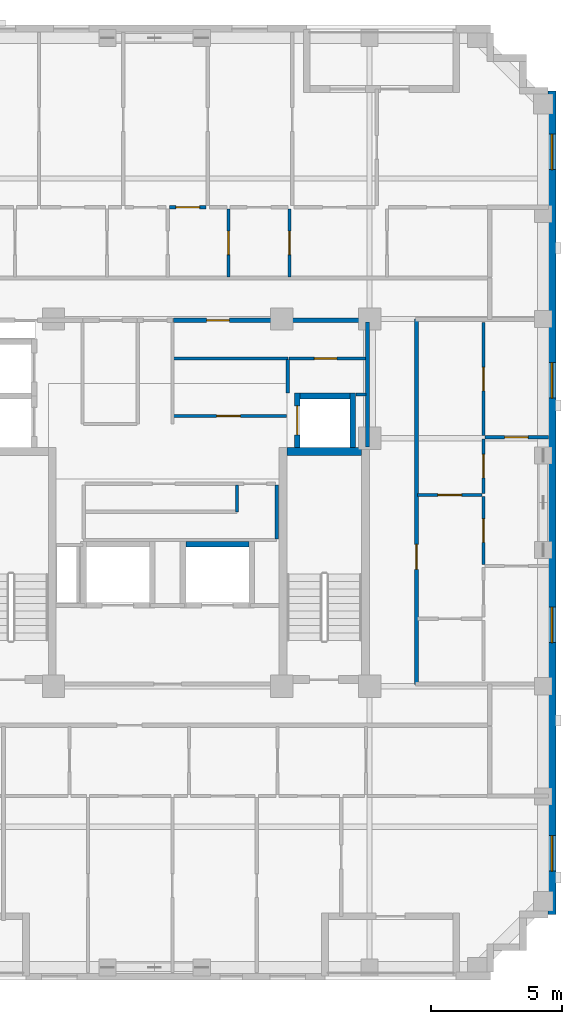
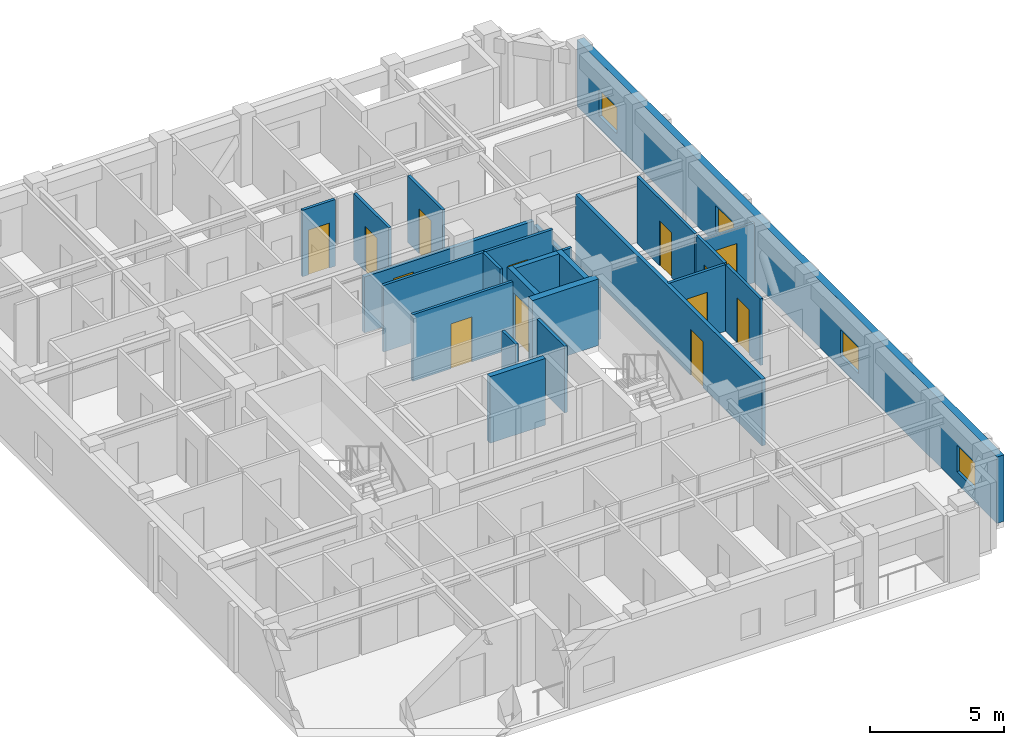
# One storey, part 6 of 11: 24 walls, 13 doors, 4 windows, 17 openings.
"""IFC4 building model written with IfcOpenShell, lengths in metres."""

from ifc_helpers import new_model, si_unit, derived_unit, direction, frame, frame_2d, origin, place, context, subcontext, project, spatial, rectangle, extrude, material, layer, layer_set, type_object, element, fill, save


model = new_model("IFC4")

# Units and contexts
model_context = context("Model", 3, precision=1e-05, world=origin(), true_north=direction((0.0, 1.0)))
body_context = subcontext(model_context, "Body", "Model", "MODEL_VIEW")
ifc_project = project(units=[si_unit("LENGTHUNIT", "METRE"), si_unit("AREAUNIT", "SQUARE_METRE"), si_unit("VOLUMEUNIT", "CUBIC_METRE"), si_unit("PLANEANGLEUNIT", "RADIAN"), si_unit("MASSUNIT", "GRAM", prefix="KILO"), derived_unit("THERMALTRANSMITTANCEUNIT", [(si_unit("MASSUNIT", "GRAM", prefix="KILO"), 1), (si_unit("TIMEUNIT", "SECOND"), -3), (si_unit("THERMODYNAMICTEMPERATUREUNIT", "KELVIN"), -1)])], contexts=[model_context])

# Site, building, storey
site_placement = place(None, origin())
site = spatial("IfcSite", under=ifc_project, at=site_placement, CompositionType="ELEMENT")
building_placement = place(site_placement, origin())
building = spatial("IfcBuilding", under=site, at=building_placement, Name="Korrvale Station Residences", CompositionType="ELEMENT")
storey_placement = place(building_placement, frame((0.0, 0.0, 197.5)))
storey = spatial("IfcBuildingStorey", under=building, at=storey_placement, Name="L57", CompositionType="ELEMENT", Elevation=197.5)

# Wall
ifc_material_1 = material(Name="Concrete C50/60", Category="concrete")
ifc_layer_1 = layer(ifc_material_1, 0.300048828125, Name="Concrete C50/60")
ifc_layer_set_1 = layer_set([ifc_layer_1], Name="Concrete C50/60")
wall_type_1 = type_object("IfcWallType", Name="WAL-CORE-300-C50", PredefinedType="SHEAR", material=ifc_layer_set_1)
wall_1_placement = place(storey_placement, frame((30.050048828125, 23.949951171875, 0.0), z_axis=(0.0, 0.0, 1.0), x_axis=(1.0, 0.0, 0.0)))
element("IfcWall", 1, at=wall_1_placement, inside=storey, type_object=wall_type_1, Name="L57 ST-2 Core Shear Wall North", PredefinedType="SHEAR", context=body_context, shape_type="SweptSolid", body=[
    extrude(rectangle(XDim=2.849853515625, YDim=0.300048828125, at=frame_2d((1.4248046875, 0.0))), origin(), (0.0, 0.0, 1.0), 3.0400390625),
])

# Wall, openings, windows
ifc_material_2 = material(Name="Precast concrete C45/55", Category="concrete")
ifc_layer_2 = layer(ifc_material_2, 0.300048828125, Name="Precast concrete C45/55")
ifc_layer_set_2 = layer_set([ifc_layer_2], Name="Precast concrete C45/55")
wall_type_2 = type_object("IfcWallType", Name="WAL-EXT-PC300", PredefinedType="SOLIDWALL", material=ifc_layer_set_2)
wall_2_placement = place(storey_placement, frame((40.14990234375, 37.699951171875, 0.0), z_axis=(0.0, 0.0, 1.0), x_axis=(0.0, -1.0, 0.0)))
wall_2 = element("IfcWall", 2, at=wall_2_placement, inside=storey, type_object=wall_type_2, Name="L57 East Exterior Precast Wall 1", PredefinedType="SOLIDWALL", context=body_context, shape_type="SweptSolid", body=[
    extrude(rectangle(XDim=31.39990234375, YDim=0.300048828125, at=frame_2d((15.699951171875, 0.0))), origin(), (0.0, 0.0, 1.0), 3.0400390625),
])
opening_1_placement = place(wall_2_placement, frame((28.39599609375, 0.0, 0.550048828125)))
opening_1 = element("IfcOpeningElement", 3, at=opening_1_placement, cuts=wall_2, Name="Opening W-10", PredefinedType="OPENING", context=body_context, shape_type="SweptSolid", body=[
    extrude(rectangle(XDim=1.35009765625, YDim=1.199951171875, at=frame_2d((0.675048828125, 0.60009765625))), frame((0.0, 0.16015625, 0.0), z_axis=(0.0, -1.0, 0.0), x_axis=(1.0, 0.0, 0.0)), (0.0, 0.0, 1.0), 0.320068359375),
])
opening_2_placement = place(wall_2_placement, frame((1.653076171875, 0.0, 0.550048828125)))
opening_2 = element("IfcOpeningElement", 4, at=opening_2_placement, cuts=wall_2, Name="Opening W-10", PredefinedType="OPENING", context=body_context, shape_type="SweptSolid", body=[
    extrude(rectangle(XDim=1.35009765625, YDim=1.199951171875, at=frame_2d((0.675048828125, 0.60009765625))), frame((0.0, 0.16015625, 0.0), z_axis=(0.0, -1.0, 0.0), x_axis=(1.0, 0.0, 0.0)), (0.0, 0.0, 1.0), 0.320068359375),
])
opening_3_placement = place(wall_2_placement, frame((19.68310546875, 0.0, 0.550048828125)))
opening_3 = element("IfcOpeningElement", 5, at=opening_3_placement, cuts=wall_2, Name="Opening W-10", PredefinedType="OPENING", context=body_context, shape_type="SweptSolid", body=[
    extrude(rectangle(XDim=1.35009765625, YDim=1.199951171875, at=frame_2d((0.675048828125, 0.60009765625))), frame((0.0, 0.16015625, 0.0), z_axis=(0.0, -1.0, 0.0), x_axis=(1.0, 0.0, 0.0)), (0.0, 0.0, 1.0), 0.320068359375),
])
opening_4_placement = place(wall_2_placement, frame((10.366943359375, 0.0, 0.550048828125)))
opening_4 = element("IfcOpeningElement", 6, at=opening_4_placement, cuts=wall_2, Name="Opening W-10", PredefinedType="OPENING", context=body_context, shape_type="SweptSolid", body=[
    extrude(rectangle(XDim=1.35009765625, YDim=1.199951171875, at=frame_2d((0.675048828125, 0.60009765625))), frame((0.0, 0.16015625, 0.0), z_axis=(0.0, -1.0, 0.0), x_axis=(1.0, 0.0, 0.0)), (0.0, 0.0, 1.0), 0.320068359375),
])
ifc_material_3 = material(Name="Thermally broken aluminium frame with triple low-e glazing", Category="aluminium")
window_type = type_object("IfcWindowType", Name="WIN-W10", PartitioningType="SINGLE_PANEL", PredefinedType="WINDOW", material=ifc_material_3)
window_1_placement = place(opening_1_placement, origin())
window_1 = element("IfcWindow", 7, at=window_1_placement, inside=storey, type_object=window_type, Name="L57 Punched Window 05", OverallHeight=1.199951171875, OverallWidth=1.35009765625, PartitioningType="SINGLE_PANEL", PredefinedType="WINDOW", context=body_context, shape_type="SweptSolid", body=[
    extrude(rectangle(XDim=1.35009765625, YDim=1.199951171875, at=frame_2d((0.675048828125, 0.60009765625))), frame((0.0, 0.030029296875, 0.0), z_axis=(0.0, -1.0, 0.0), x_axis=(1.0, 0.0, 0.0)), (0.0, 0.0, 1.0), 0.06005859375),
])
fill(opening_1, window_1)
window_2_placement = place(opening_2_placement, origin())
window_2 = element("IfcWindow", 8, at=window_2_placement, inside=storey, type_object=window_type, Name="L57 Punched Window 12", OverallHeight=1.199951171875, OverallWidth=1.35009765625, PartitioningType="SINGLE_PANEL", PredefinedType="WINDOW", context=body_context, shape_type="SweptSolid", body=[
    extrude(rectangle(XDim=1.35009765625, YDim=1.199951171875, at=frame_2d((0.675048828125, 0.60009765625))), frame((0.0, 0.030029296875, 0.0), z_axis=(0.0, -1.0, 0.0), x_axis=(1.0, 0.0, 0.0)), (0.0, 0.0, 1.0), 0.06005859375),
])
fill(opening_2, window_2)
window_3_placement = place(opening_3_placement, origin())
window_3 = element("IfcWindow", 9, at=window_3_placement, inside=storey, type_object=window_type, Name="L57 Punched Window 15", OverallHeight=1.199951171875, OverallWidth=1.35009765625, PartitioningType="SINGLE_PANEL", PredefinedType="WINDOW", context=body_context, shape_type="SweptSolid", body=[
    extrude(rectangle(XDim=1.35009765625, YDim=1.199951171875, at=frame_2d((0.675048828125, 0.60009765625))), frame((0.0, 0.030029296875, 0.0), z_axis=(0.0, -1.0, 0.0), x_axis=(1.0, 0.0, 0.0)), (0.0, 0.0, 1.0), 0.06005859375),
])
fill(opening_3, window_3)
window_4_placement = place(opening_4_placement, origin())
window_4 = element("IfcWindow", 10, at=window_4_placement, inside=storey, type_object=window_type, Name="L57 Punched Window 16", OverallHeight=1.199951171875, OverallWidth=1.35009765625, PartitioningType="SINGLE_PANEL", PredefinedType="WINDOW", context=body_context, shape_type="SweptSolid", body=[
    extrude(rectangle(XDim=1.35009765625, YDim=1.199951171875, at=frame_2d((0.675048828125, 0.60009765625))), frame((0.0, 0.030029296875, 0.0), z_axis=(0.0, -1.0, 0.0), x_axis=(1.0, 0.0, 0.0)), (0.0, 0.0, 1.0), 0.06005859375),
])
fill(opening_4, window_4)

# Walls
ifc_material_4 = material(Name="Acoustic steel-stud gypsum board partition", Category="steel")
ifc_layer_3 = layer(ifc_material_4, 0.1201171875, Name="Acoustic steel-stud gypsum board partition")
ifc_layer_set_3 = layer_set([ifc_layer_3], Name="Acoustic steel-stud gypsum board partition")
wall_type_3 = type_object("IfcWallType", Name="WAL-PART-125", PredefinedType="PARTITIONING", material=ifc_layer_set_3)
wall_3_placement = place(storey_placement, frame((30.080078125, 26.179931640625, 0.0), z_axis=(0.0, 0.0, 1.0), x_axis=(0.0, 1.0, 0.0)))
element("IfcWall", 11, at=wall_3_placement, inside=storey, type_object=wall_type_3, Name="L57 Core Partition CW-CS-W", PredefinedType="PARTITIONING", context=body_context, shape_type="SweptSolid", body=[
    extrude(rectangle(XDim=1.280029296875, YDim=0.1201171875, at=frame_2d((0.64013671875, 0.0))), origin(), (0.0, 0.0, 1.0), 3.0400390625),
])
wall_4_placement = place(storey_placement, frame((32.679931640625, 26.1201171875, 0.0), z_axis=(0.0, 0.0, 1.0), x_axis=(1.0, 0.0, 0.0)))
element("IfcWall", 12, at=wall_4_placement, inside=storey, type_object=wall_type_3, Name="L57 Core Partition CW-CS-S", PredefinedType="PARTITIONING", context=body_context, shape_type="SweptSolid", body=[
    extrude(rectangle(XDim=0.380126953125, YDim=0.1201171875, at=frame_2d((0.18994140625, 0.0))), origin(), (0.0, 0.0, 1.0), 3.0400390625),
])

# Wall, opening, door
wall_5_placement = place(storey_placement, frame((30.1201171875, 27.5, 0.0), z_axis=(0.0, 0.0, 1.0), x_axis=(1.0, 0.0, 0.0)))
wall_5 = element("IfcWall", 13, at=wall_5_placement, inside=storey, type_object=wall_type_3, Name="L57 Core Partition CW-CS-H", PredefinedType="PARTITIONING", context=body_context, shape_type="SweptSolid", body=[
    extrude(rectangle(XDim=2.919921875, YDim=0.1201171875, at=frame_2d((1.4599609375, 0.0))), origin(), (0.0, 0.0, 1.0), 3.0400390625),
])
opening_5_placement = place(wall_5_placement, frame((0.969970703125, 0.0, 0.0)))
opening_5 = element("IfcOpeningElement", 14, at=opening_5_placement, cuts=wall_5, Name="Opening DB-860", PredefinedType="OPENING", context=body_context, shape_type="SweptSolid", body=[
    extrude(rectangle(XDim=0.860107421875, YDim=2.050048828125, at=frame_2d((0.43017578125, 1.02490234375))), frame((0.0, 0.070068359375, 0.0), z_axis=(0.0, -1.0, 0.0), x_axis=(1.0, 0.0, 0.0)), (0.0, 0.0, 1.0), 0.14013671875),
])
ifc_material_5 = material(Name="Moisture-resistant solid-core bathroom door", Category="timber")
door_type_1 = type_object("IfcDoorType", Name="DR-BATH-860", OperationType="NOTDEFINED", PredefinedType="DOOR", material=ifc_material_5)
door_1_placement = place(opening_5_placement, origin())
door_1 = element("IfcDoor", 15, at=door_1_placement, inside=storey, type_object=door_type_1, Name="L57 Mail Sorting Inner Door", OperationType="SINGLE_SWING_RIGHT", OverallHeight=2.050048828125, OverallWidth=0.860107421875, PredefinedType="DOOR", context=body_context, shape_type="SweptSolid", body=[
    extrude(rectangle(XDim=0.860107421875, YDim=2.050048828125, at=frame_2d((0.43017578125, 1.02490234375))), frame((0.0, 0.02490234375, 0.0), z_axis=(0.0, -1.0, 0.0), x_axis=(1.0, 0.0, 0.0)), (0.0, 0.0, 1.0), 0.050048828125),
])
fill(opening_5, door_1)

# Wall
wall_6_placement = place(storey_placement, frame((25.719970703125, 27.5, 0.0), z_axis=(0.0, 0.0, 1.0), x_axis=(1.0, 0.0, 0.0)))
element("IfcWall", 16, at=wall_6_placement, inside=storey, type_object=wall_type_3, Name="L57 Core Partition CW-FPLE-H", PredefinedType="PARTITIONING", context=body_context, shape_type="SweptSolid", body=[
    extrude(rectangle(XDim=4.360107421875, YDim=0.1201171875, at=frame_2d((2.18017578125, 0.0))), origin(), (0.0, 0.0, 1.0), 3.0400390625),
])

# Wall, opening, door
wall_7_placement = place(storey_placement, frame((25.719970703125, 25.300048828125, 0.0), z_axis=(0.0, 0.0, 1.0), x_axis=(1.0, 0.0, 0.0)))
wall_7 = element("IfcWall", 17, at=wall_7_placement, inside=storey, type_object=wall_type_3, Name="L57 Core Partition CW-FPLE-S", PredefinedType="PARTITIONING", context=body_context, shape_type="SweptSolid", body=[
    extrude(rectangle(XDim=4.320068359375, YDim=0.1201171875, at=frame_2d((2.16015625, 0.0))), origin(), (0.0, 0.0, 1.0), 3.0400390625),
])
opening_6_placement = place(wall_7_placement, frame((1.64990234375, 0.0, 0.0)))
opening_6 = element("IfcOpeningElement", 18, at=opening_6_placement, cuts=wall_7, Name="Opening DI-900", PredefinedType="OPENING", context=body_context, shape_type="SweptSolid", body=[
    extrude(rectangle(XDim=0.89990234375, YDim=2.050048828125, at=frame_2d((0.449951171875, 1.02490234375))), frame((0.0, 0.070068359375, 0.0), z_axis=(0.0, -1.0, 0.0), x_axis=(1.0, 0.0, 0.0)), (0.0, 0.0, 1.0), 0.14013671875),
])
ifc_material_6 = material(Name="Painted solid-core timber interior room door", Category="wood")
door_type_2 = type_object("IfcDoorType", Name="DR-INT-900", OperationType="NOTDEFINED", PredefinedType="DOOR", material=ifc_material_6)
door_2_placement = place(opening_6_placement, origin())
door_2 = element("IfcDoor", 19, at=door_2_placement, inside=storey, type_object=door_type_2, Name="L57 Housekeeping Linen Door", OperationType="SINGLE_SWING_RIGHT", OverallHeight=2.050048828125, OverallWidth=0.89990234375, PredefinedType="DOOR", context=body_context, shape_type="SweptSolid", body=[
    extrude(rectangle(XDim=0.89990234375, YDim=2.050048828125, at=frame_2d((0.449951171875, 1.02490234375))), frame((0.0, 0.02490234375, 0.0), z_axis=(0.0, -1.0, 0.0), x_axis=(1.0, 0.0, 0.0)), (0.0, 0.0, 1.0), 0.050048828125),
])
fill(opening_6, door_2)

# Walls
wall_8_placement = place(storey_placement, frame((29.659912109375, 20.6201171875, 0.0), z_axis=(0.0, 0.0, 1.0), x_axis=(0.0, 1.0, 0.0)))
element("IfcWall", 20, at=wall_8_placement, inside=storey, type_object=wall_type_3, Name="L57 Core Partition CW-FPM-E", PredefinedType="PARTITIONING", context=body_context, shape_type="SweptSolid", body=[
    extrude(rectangle(XDim=2.059814453125, YDim=0.1201171875, at=frame_2d((1.02978515625, 0.0))), origin(), (0.0, 0.0, 1.0), 3.0400390625),
])
wall_9_placement = place(storey_placement, frame((28.139892578125, 21.64990234375, 0.0), z_axis=(0.0, 0.0, 1.0), x_axis=(0.0, 1.0, 0.0)))
element("IfcWall", 21, at=wall_9_placement, inside=storey, type_object=wall_type_3, Name="L57 Core Partition CW-FPM-V1", PredefinedType="PARTITIONING", context=body_context, shape_type="SweptSolid", body=[
    extrude(rectangle(XDim=1.030029296875, YDim=0.1201171875, at=frame_2d((0.51513671875, 0.0))), origin(), (0.0, 0.0, 1.0), 3.0400390625),
])

# Wall, opening, door
wall_10_placement = place(storey_placement, frame((27.824951171875, 30.60009765625, 0.0), z_axis=(0.0, 0.0, 1.0), x_axis=(0.0, 1.0, 0.0)))
wall_10 = element("IfcWall", 22, at=wall_10_placement, inside=storey, type_object=wall_type_3, Name="L57 Suite Partition U03-V45", PredefinedType="PARTITIONING", context=body_context, shape_type="SweptSolid", body=[
    extrude(rectangle(XDim=2.599853515625, YDim=0.1201171875, at=frame_2d((1.2998046875, 0.0))), origin(), (0.0, 0.0, 1.0), 3.0400390625),
])
opening_7_placement = place(wall_10_placement, frame((0.85009765625, 0.0, 0.0)))
opening_7 = element("IfcOpeningElement", 23, at=opening_7_placement, cuts=wall_10, Name="Opening DI-900", PredefinedType="OPENING", context=body_context, shape_type="SweptSolid", body=[
    extrude(rectangle(XDim=0.89990234375, YDim=2.050048828125, at=frame_2d((0.449951171875, 1.02490234375))), frame((0.0, 0.070068359375, 0.0), z_axis=(0.0, -1.0, 0.0), x_axis=(1.0, 0.0, 0.0)), (0.0, 0.0, 1.0), 0.14013671875),
])
door_3_placement = place(opening_7_placement, origin())
door_3 = element("IfcDoor", 24, at=door_3_placement, inside=storey, type_object=door_type_2, Name="L57 Studio Apartment L57-U03 Wardrobe Storage Room Door", OperationType="SINGLE_SWING_RIGHT", OverallHeight=2.050048828125, OverallWidth=0.89990234375, PredefinedType="DOOR", context=body_context, shape_type="SweptSolid", body=[
    extrude(rectangle(XDim=0.89990234375, YDim=2.050048828125, at=frame_2d((0.449951171875, 1.02490234375))), frame((0.0, 0.02490234375, 0.0), z_axis=(0.0, -1.0, 0.0), x_axis=(1.0, 0.0, 0.0)), (0.0, 0.0, 1.0), 0.050048828125),
])
fill(opening_7, door_3)

wall_11_placement = place(storey_placement, frame((25.56494140625, 33.260009765625, 0.0), z_axis=(0.0, 0.0, 1.0), x_axis=(1.0, 0.0, 0.0)))
wall_11 = element("IfcWall", 25, at=wall_11_placement, inside=storey, type_object=wall_type_3, Name="L57 Suite Partition U03-H412", PredefinedType="PARTITIONING", context=body_context, shape_type="SweptSolid", body=[
    extrude(rectangle(XDim=1.405029296875, YDim=0.1201171875, at=frame_2d((0.70263671875, 0.0))), origin(), (0.0, 0.0, 1.0), 3.0400390625),
])
opening_8_placement = place(wall_11_placement, frame((0.251953125, 0.0, 0.0)))
opening_8 = element("IfcOpeningElement", 26, at=opening_8_placement, cuts=wall_11, Name="Opening DI-900", PredefinedType="OPENING", context=body_context, shape_type="SweptSolid", body=[
    extrude(rectangle(XDim=0.89990234375, YDim=2.050048828125, at=frame_2d((0.449951171875, 1.02490234375))), frame((0.0, 0.070068359375, 0.0), z_axis=(0.0, -1.0, 0.0), x_axis=(1.0, 0.0, 0.0)), (0.0, 0.0, 1.0), 0.14013671875),
])
door_4_placement = place(opening_8_placement, origin())
door_4 = element("IfcDoor", 27, at=door_4_placement, inside=storey, type_object=door_type_2, Name="L57 Studio Apartment L57-U03 Wardrobe Storage Room Door", OperationType="SINGLE_SWING_LEFT", OverallHeight=2.050048828125, OverallWidth=0.89990234375, PredefinedType="DOOR", context=body_context, shape_type="SweptSolid", body=[
    extrude(rectangle(XDim=0.89990234375, YDim=2.050048828125, at=frame_2d((0.449951171875, 1.02490234375))), frame((0.0, 0.02490234375, 0.0), z_axis=(0.0, -1.0, 0.0), x_axis=(1.0, 0.0, 0.0)), (0.0, 0.0, 1.0), 0.050048828125),
])
fill(opening_8, door_4)

wall_12_placement = place(storey_placement, frame((30.14501953125, 30.60009765625, 0.0), z_axis=(0.0, 0.0, 1.0), x_axis=(0.0, 1.0, 0.0)))
wall_12 = element("IfcWall", 28, at=wall_12_placement, inside=storey, type_object=wall_type_3, Name="L57 Suite Partition U03-V56", PredefinedType="PARTITIONING", context=body_context, shape_type="SweptSolid", body=[
    extrude(rectangle(XDim=2.599853515625, YDim=0.1201171875, at=frame_2d((1.2998046875, 0.0))), origin(), (0.0, 0.0, 1.0), 3.0400390625),
])
opening_9_placement = place(wall_12_placement, frame((0.85009765625, 0.0, 0.0)))
opening_9 = element("IfcOpeningElement", 29, at=opening_9_placement, cuts=wall_12, Name="Opening DI-900", PredefinedType="OPENING", context=body_context, shape_type="SweptSolid", body=[
    extrude(rectangle(XDim=0.89990234375, YDim=2.050048828125, at=frame_2d((0.449951171875, 1.02490234375))), frame((0.0, 0.070068359375, 0.0), z_axis=(0.0, -1.0, 0.0), x_axis=(1.0, 0.0, 0.0)), (0.0, 0.0, 1.0), 0.14013671875),
])
door_5_placement = place(opening_9_placement, origin())
door_5 = element("IfcDoor", 30, at=door_5_placement, inside=storey, type_object=door_type_2, Name="L57 Studio Apartment L57-U03 Wardrobe Storage Room Door", OperationType="SINGLE_SWING_RIGHT", OverallHeight=2.050048828125, OverallWidth=0.89990234375, PredefinedType="DOOR", context=body_context, shape_type="SweptSolid", body=[
    extrude(rectangle(XDim=0.89990234375, YDim=2.050048828125, at=frame_2d((0.449951171875, 1.02490234375))), frame((0.0, 0.02490234375, 0.0), z_axis=(0.0, -1.0, 0.0), x_axis=(1.0, 0.0, 0.0)), (0.0, 0.0, 1.0), 0.050048828125),
])
fill(opening_9, door_5)

wall_13_placement = place(storey_placement, frame((35.030029296875, 22.2900390625, 0.0), z_axis=(0.0, 0.0, 1.0), x_axis=(1.0, 0.0, 0.0)))
wall_13 = element("IfcWall", 31, at=wall_13_placement, inside=storey, type_object=wall_type_3, Name="L57 Suite Partition U05-H02", PredefinedType="PARTITIONING", context=body_context, shape_type="SweptSolid", body=[
    extrude(rectangle(XDim=2.449951171875, YDim=0.1201171875, at=frame_2d((1.22509765625, 0.0))), origin(), (0.0, 0.0, 1.0), 3.0400390625),
])
opening_10_placement = place(wall_13_placement, frame((0.77490234375, 0.0, 0.0)))
opening_10 = element("IfcOpeningElement", 32, at=opening_10_placement, cuts=wall_13, Name="Opening DI-900", PredefinedType="OPENING", context=body_context, shape_type="SweptSolid", body=[
    extrude(rectangle(XDim=0.89990234375, YDim=2.050048828125, at=frame_2d((0.449951171875, 1.02490234375))), frame((0.0, 0.070068359375, 0.0), z_axis=(0.0, -1.0, 0.0), x_axis=(1.0, 0.0, 0.0)), (0.0, 0.0, 1.0), 0.14013671875),
])
door_6_placement = place(opening_10_placement, origin())
door_6 = element("IfcDoor", 33, at=door_6_placement, inside=storey, type_object=door_type_2, Name="L57 Apartment 2BR L57-U05 Wardrobe Storage Room Door", OperationType="SINGLE_SWING_LEFT", OverallHeight=2.050048828125, OverallWidth=0.89990234375, PredefinedType="DOOR", context=body_context, shape_type="SweptSolid", body=[
    extrude(rectangle(XDim=0.89990234375, YDim=2.050048828125, at=frame_2d((0.449951171875, 1.02490234375))), frame((0.0, 0.02490234375, 0.0), z_axis=(0.0, -1.0, 0.0), x_axis=(1.0, 0.0, 0.0)), (0.0, 0.0, 1.0), 0.050048828125),
])
fill(opening_10, door_6)

wall_14_placement = place(storey_placement, frame((37.5400390625, 22.35009765625, 0.0), z_axis=(0.0, 0.0, 1.0), x_axis=(0.0, 1.0, 0.0)))
wall_14 = element("IfcWall", 34, at=wall_14_placement, inside=storey, type_object=wall_type_3, Name="L57 Suite Partition U05-V04", PredefinedType="PARTITIONING", context=body_context, shape_type="SweptSolid", body=[
    extrude(rectangle(XDim=2.081787109375, YDim=0.1201171875, at=frame_2d((1.041015625, 0.0))), origin(), (0.0, 0.0, 1.0), 3.0400390625),
])
opening_11_placement = place(wall_14_placement, frame((0.591064453125, 0.0, 0.0)))
opening_11 = element("IfcOpeningElement", 35, at=opening_11_placement, cuts=wall_14, Name="Opening DI-900", PredefinedType="OPENING", context=body_context, shape_type="SweptSolid", body=[
    extrude(rectangle(XDim=0.89990234375, YDim=2.050048828125, at=frame_2d((0.449951171875, 1.02490234375))), frame((0.0, 0.070068359375, 0.0), z_axis=(0.0, -1.0, 0.0), x_axis=(1.0, 0.0, 0.0)), (0.0, 0.0, 1.0), 0.14013671875),
])
door_7_placement = place(opening_11_placement, origin())
door_7 = element("IfcDoor", 36, at=door_7_placement, inside=storey, type_object=door_type_2, Name="L57 Apartment 2BR L57-U05 Wardrobe Storage Room Door", OperationType="SINGLE_SWING_RIGHT", OverallHeight=2.050048828125, OverallWidth=0.89990234375, PredefinedType="DOOR", context=body_context, shape_type="SweptSolid", body=[
    extrude(rectangle(XDim=0.89990234375, YDim=2.050048828125, at=frame_2d((0.449951171875, 1.02490234375))), frame((0.0, 0.02490234375, 0.0), z_axis=(0.0, -1.0, 0.0), x_axis=(1.0, 0.0, 0.0)), (0.0, 0.0, 1.0), 0.050048828125),
])
fill(opening_11, door_7)

wall_15_placement = place(storey_placement, frame((37.5400390625, 24.552001953125, 0.0), z_axis=(0.0, 0.0, 1.0), x_axis=(0.0, 1.0, 0.0)))
wall_15 = element("IfcWall", 37, at=wall_15_placement, inside=storey, type_object=wall_type_3, Name="L57 Suite Partition U05-V05", PredefinedType="PARTITIONING", context=body_context, shape_type="SweptSolid", body=[
    extrude(rectangle(XDim=4.30810546875, YDim=0.1201171875, at=frame_2d((2.154052734375, 0.0))), origin(), (0.0, 0.0, 1.0), 3.0400390625),
])
opening_12_placement = place(wall_15_placement, frame((1.7041015625, 0.0, 0.0)))
opening_12 = element("IfcOpeningElement", 38, at=opening_12_placement, cuts=wall_15, Name="Opening DI-900", PredefinedType="OPENING", context=body_context, shape_type="SweptSolid", body=[
    extrude(rectangle(XDim=0.89990234375, YDim=2.050048828125, at=frame_2d((0.449951171875, 1.02490234375))), frame((0.0, 0.070068359375, 0.0), z_axis=(0.0, -1.0, 0.0), x_axis=(1.0, 0.0, 0.0)), (0.0, 0.0, 1.0), 0.14013671875),
])
door_8_placement = place(opening_12_placement, origin())
door_8 = element("IfcDoor", 39, at=door_8_placement, inside=storey, type_object=door_type_2, Name="L57 Apartment 2BR L57-U05 Wardrobe Storage Room Door", OperationType="SINGLE_SWING_LEFT", OverallHeight=2.050048828125, OverallWidth=0.89990234375, PredefinedType="DOOR", context=body_context, shape_type="SweptSolid", body=[
    extrude(rectangle(XDim=0.89990234375, YDim=2.050048828125, at=frame_2d((0.449951171875, 1.02490234375))), frame((0.0, 0.02490234375, 0.0), z_axis=(0.0, -1.0, 0.0), x_axis=(1.0, 0.0, 0.0)), (0.0, 0.0, 1.0), 0.050048828125),
])
fill(opening_12, door_8)

wall_16_placement = place(storey_placement, frame((37.5400390625, 19.637939453125, 0.0), z_axis=(0.0, 0.0, 1.0), x_axis=(0.0, 1.0, 0.0)))
wall_16 = element("IfcWall", 40, at=wall_16_placement, inside=storey, type_object=wall_type_3, Name="L57 Suite Partition U05-V24", PredefinedType="PARTITIONING", context=body_context, shape_type="SweptSolid", body=[
    extrude(rectangle(XDim=2.592041015625, YDim=0.1201171875, at=frame_2d((1.2958984375, 0.0))), origin(), (0.0, 0.0, 1.0), 3.0400390625),
])
opening_13_placement = place(wall_16_placement, frame((0.845947265625, 0.0, 0.0)))
opening_13 = element("IfcOpeningElement", 41, at=opening_13_placement, cuts=wall_16, Name="Opening DI-900", PredefinedType="OPENING", context=body_context, shape_type="SweptSolid", body=[
    extrude(rectangle(XDim=0.89990234375, YDim=2.050048828125, at=frame_2d((0.449951171875, 1.02490234375))), frame((0.0, 0.070068359375, 0.0), z_axis=(0.0, -1.0, 0.0), x_axis=(1.0, 0.0, 0.0)), (0.0, 0.0, 1.0), 0.14013671875),
])
door_9_placement = place(opening_13_placement, origin())
door_9 = element("IfcDoor", 42, at=door_9_placement, inside=storey, type_object=door_type_2, Name="L57 Apartment 2BR L57-U05 Kitchen Door", OperationType="SINGLE_SWING_RIGHT", OverallHeight=2.050048828125, OverallWidth=0.89990234375, PredefinedType="DOOR", context=body_context, shape_type="SweptSolid", body=[
    extrude(rectangle(XDim=0.89990234375, YDim=2.050048828125, at=frame_2d((0.449951171875, 1.02490234375))), frame((0.0, 0.02490234375, 0.0), z_axis=(0.0, -1.0, 0.0), x_axis=(1.0, 0.0, 0.0)), (0.0, 0.0, 1.0), 0.050048828125),
])
fill(opening_13, door_9)

wall_17_placement = place(storey_placement, frame((37.60009765625, 24.491943359375, 0.0), z_axis=(0.0, 0.0, 1.0), x_axis=(1.0, 0.0, 0.0)))
wall_17 = element("IfcWall", 43, at=wall_17_placement, inside=storey, type_object=wall_type_3, Name="L57 Suite Partition U05-H45", PredefinedType="PARTITIONING", context=body_context, shape_type="SweptSolid", body=[
    extrude(rectangle(XDim=2.419921875, YDim=0.1201171875, at=frame_2d((1.2099609375, 0.0))), origin(), (0.0, 0.0, 1.0), 2.721923828125),
])
opening_14_placement = place(wall_17_placement, frame((0.7451171875, 0.0, 0.0)))
opening_14 = element("IfcOpeningElement", 44, at=opening_14_placement, cuts=wall_17, Name="Opening DI-900", PredefinedType="OPENING", context=body_context, shape_type="SweptSolid", body=[
    extrude(rectangle(XDim=0.89990234375, YDim=2.050048828125, at=frame_2d((0.449951171875, 1.02490234375))), frame((0.0, 0.070068359375, 0.0), z_axis=(0.0, -1.0, 0.0), x_axis=(1.0, 0.0, 0.0)), (0.0, 0.0, 1.0), 0.14013671875),
])
door_10_placement = place(opening_14_placement, origin())
door_10 = element("IfcDoor", 45, at=door_10_placement, inside=storey, type_object=door_type_2, Name="L57 Apartment 2BR L57-U05 Living and Dining Room Door", OperationType="SINGLE_SWING_RIGHT", OverallHeight=2.050048828125, OverallWidth=0.89990234375, PredefinedType="DOOR", context=body_context, shape_type="SweptSolid", body=[
    extrude(rectangle(XDim=0.89990234375, YDim=2.050048828125, at=frame_2d((0.449951171875, 1.02490234375))), frame((0.0, 0.02490234375, 0.0), z_axis=(0.0, -1.0, 0.0), x_axis=(1.0, 0.0, 0.0)), (0.0, 0.0, 1.0), 0.050048828125),
])
fill(opening_14, door_10)

# Wall
ifc_material_7 = material(Name="Fire-rated twin-stud gypsum and mineral wool shaftwall assembly", Category="gypsum")
ifc_layer_4 = layer(ifc_material_7, 0.159912109375, Name="Fire-rated twin-stud gypsum and mineral wool shaftwall assembly")
ifc_layer_set_4 = layer_set([ifc_layer_4], Name="Fire-rated twin-stud gypsum and mineral wool shaftwall assembly")
wall_type_4 = type_object("IfcWallType", Name="WAL-PART-200", PredefinedType="PARTITIONING", material=ifc_layer_set_4)
wall_18_placement = place(storey_placement, frame((33.1201171875, 24.1201171875, 0.0), z_axis=(0.0, 0.0, 1.0), x_axis=(0.0, 1.0, 0.0)))
element("IfcWall", 46, at=wall_18_placement, inside=storey, type_object=wall_type_4, Name="L57 Core Partition CW-E-N", PredefinedType="PARTITIONING", context=body_context, shape_type="SweptSolid", body=[
    extrude(rectangle(XDim=4.759765625, YDim=0.159912109375, at=frame_2d((2.3798828125, 0.0))), origin(), (0.0, 0.0, 1.0), 2.375),
])

# Wall, opening, door
wall_19_placement = place(storey_placement, frame((25.719970703125, 28.949951171875, 0.0), z_axis=(0.0, 0.0, 1.0), x_axis=(1.0, 0.0, 0.0)))
wall_19 = element("IfcWall", 47, at=wall_19_placement, inside=storey, type_object=wall_type_4, Name="L57 Core Partition CW-FPLE-N", PredefinedType="PARTITIONING", context=body_context, shape_type="SweptSolid", body=[
    extrude(rectangle(XDim=7.320068359375, YDim=0.159912109375, at=frame_2d((3.66015625, 0.0))), origin(), (0.0, 0.0, 1.0), 2.555908203125),
])
opening_15_placement = place(wall_19_placement, frame((1.27001953125, 0.0, 0.0)))
opening_15 = element("IfcOpeningElement", 48, at=opening_15_placement, cuts=wall_19, Name="Opening DB-860", PredefinedType="OPENING", context=body_context, shape_type="SweptSolid", body=[
    extrude(rectangle(XDim=0.860107421875, YDim=2.050048828125, at=frame_2d((0.43017578125, 1.02490234375))), frame((0.0, 0.08984375, 0.0), z_axis=(0.0, -1.0, 0.0), x_axis=(1.0, 0.0, 0.0)), (0.0, 0.0, 1.0), 0.179931640625),
])
door_11_placement = place(opening_15_placement, origin())
door_11 = element("IfcDoor", 49, at=door_11_placement, inside=storey, type_object=door_type_1, Name="L57 Luggage Pantry Door", OperationType="SINGLE_SWING_LEFT", OverallHeight=2.050048828125, OverallWidth=0.860107421875, PredefinedType="DOOR", context=body_context, shape_type="SweptSolid", body=[
    extrude(rectangle(XDim=0.860107421875, YDim=2.050048828125, at=frame_2d((0.43017578125, 1.02490234375))), frame((0.0, 0.02490234375, 0.0), z_axis=(0.0, -1.0, 0.0), x_axis=(1.0, 0.0, 0.0)), (0.0, 0.0, 1.0), 0.050048828125),
])
fill(opening_15, door_11)

wall_20_placement = place(storey_placement, frame((34.989990234375, 15.070068359375, 0.0), z_axis=(0.0, 0.0, 1.0), x_axis=(0.0, 1.0, 0.0)))
wall_20 = element("IfcWall", 50, at=wall_20_placement, inside=storey, type_object=wall_type_4, Name="L57 Rated Corridor Wall E", PredefinedType="PARTITIONING", context=body_context, shape_type="SweptSolid", body=[
    extrude(rectangle(XDim=13.929931640625, YDim=0.159912109375, at=frame_2d((6.96484375, 0.0))), origin(), (0.0, 0.0, 1.0), 3.0400390625),
])
opening_16_placement = place(wall_20_placement, frame((4.385009765625, 0.0, 0.0)))
opening_16 = element("IfcOpeningElement", 51, at=opening_16_placement, cuts=wall_20, Name="Opening UD-950", PredefinedType="OPENING", context=body_context, shape_type="SweptSolid", body=[
    extrude(rectangle(XDim=0.949951171875, YDim=2.10009765625, at=frame_2d((0.47509765625, 1.050048828125))), frame((0.0, 0.08984375, 0.0), z_axis=(0.0, -1.0, 0.0), x_axis=(1.0, 0.0, 0.0)), (0.0, 0.0, 1.0), 0.179931640625),
])
ifc_material_8 = material(Name="Solid-core acoustic oak apartment entrance door", Category="timber")
door_type_3 = type_object("IfcDoorType", Name="DR-UNIT-950", OperationType="NOTDEFINED", PredefinedType="DOOR", material=ifc_material_8)
door_12_placement = place(opening_16_placement, origin())
door_12 = element("IfcDoor", 52, at=door_12_placement, inside=storey, type_object=door_type_3, Name="L57 Apartment L57-U05 Entrance Door", OperationType="SINGLE_SWING_RIGHT", OverallHeight=2.10009765625, OverallWidth=0.949951171875, PredefinedType="DOOR", context=body_context, shape_type="SweptSolid", body=[
    extrude(rectangle(XDim=0.949951171875, YDim=2.10009765625, at=frame_2d((0.47509765625, 1.050048828125))), frame((0.0, 0.02490234375, 0.0), z_axis=(0.0, -1.0, 0.0), x_axis=(1.0, 0.0, 0.0)), (0.0, 0.0, 1.0), 0.050048828125),
])
fill(opening_16, door_12)

# Wall
ifc_layer_5 = layer(ifc_material_1, 0.219970703125, Name="Concrete C50/60")
ifc_layer_set_5 = layer_set([ifc_layer_5], Name="Concrete C50/60")
wall_type_5 = type_object("IfcWallType", Name="WAL-SHAFT-220-C50", PredefinedType="SHEAR", material=ifc_layer_set_5)
wall_21_placement = place(storey_placement, frame((30.550048828125, 26.06005859375, 0.0), z_axis=(0.0, 0.0, 1.0), x_axis=(1.0, 0.0, 0.0)))
element("IfcWall", 53, at=wall_21_placement, inside=storey, type_object=wall_type_5, Name="L57 Elevator PH-3 Hoistway Wall North", PredefinedType="SHEAR", context=body_context, shape_type="SweptSolid", body=[
    extrude(rectangle(XDim=1.89990234375, YDim=0.219970703125, at=frame_2d((0.949951171875, 0.0))), origin(), (0.0, 0.0, 1.0), 3.0400390625),
])

# Wall, opening, door
wall_22_placement = place(storey_placement, frame((30.43994140625, 24.10009765625, 0.0), z_axis=(0.0, 0.0, 1.0), x_axis=(0.0, 1.0, 0.0)))
wall_22 = element("IfcWall", 54, at=wall_22_placement, inside=storey, type_object=wall_type_5, Name="L57 Elevator PH-3 Hoistway Wall West", PredefinedType="SHEAR", context=body_context, shape_type="SweptSolid", body=[
    extrude(rectangle(XDim=2.06982421875, YDim=0.219970703125, at=frame_2d((1.034912109375, 0.0))), origin(), (0.0, 0.0, 1.0), 3.0400390625),
])
opening_17_placement = place(wall_22_placement, frame((0.485107421875, 0.0, 0.0)))
opening_17 = element("IfcOpeningElement", 55, at=opening_17_placement, cuts=wall_22, Name="Opening LD-1100", PredefinedType="OPENING", context=body_context, shape_type="SweptSolid", body=[
    extrude(rectangle(XDim=1.10009765625, YDim=2.14990234375, at=frame_2d((0.550048828125, 1.074951171875))), frame((0.0, 0.1201171875, 0.0), z_axis=(0.0, -1.0, 0.0), x_axis=(1.0, 0.0, 0.0)), (0.0, 0.0, 1.0), 0.239990234375),
])
ifc_material_9 = material(Name="Brushed stainless-steel elevator landing sliding door", Category="steel")
door_type_4 = type_object("IfcDoorType", Name="DR-LIFT-1100", OperationType="SLIDING_TO_LEFT", PredefinedType="DOOR", material=ifc_material_9)
door_13_placement = place(opening_17_placement, origin())
door_13 = element("IfcDoor", 56, at=door_13_placement, inside=storey, type_object=door_type_4, Name="L57 Elevator PH-3 Sliding Landing Door", OperationType="SLIDING_TO_LEFT", OverallHeight=2.14990234375, OverallWidth=1.10009765625, PredefinedType="DOOR", context=body_context, shape_type="SweptSolid", body=[
    extrude(rectangle(XDim=1.10009765625, YDim=2.14990234375, at=frame_2d((0.550048828125, 1.074951171875))), frame((0.0, 0.02490234375, 0.0), z_axis=(0.0, -1.0, 0.0), x_axis=(1.0, 0.0, 0.0)), (0.0, 0.0, 1.0), 0.050048828125),
])
fill(opening_17, door_13)

# Walls
wall_23_placement = place(storey_placement, frame((32.56005859375, 24.10009765625, 0.0), z_axis=(0.0, 0.0, 1.0), x_axis=(0.0, 1.0, 0.0)))
element("IfcWall", 57, at=wall_23_placement, inside=storey, type_object=wall_type_5, Name="L57 Elevator PH-3 Hoistway Wall East", PredefinedType="SHEAR", context=body_context, shape_type="SweptSolid", body=[
    extrude(rectangle(XDim=2.06982421875, YDim=0.219970703125, at=frame_2d((1.034912109375, 0.0))), origin(), (0.0, 0.0, 1.0), 3.0400390625),
])
wall_24_placement = place(storey_placement, frame((26.199951171875, 20.409912109375, 0.0), z_axis=(0.0, 0.0, 1.0), x_axis=(1.0, 0.0, 0.0)))
element("IfcWall", 58, at=wall_24_placement, inside=storey, type_object=wall_type_5, Name="L57 Elevator FFL-2 Hoistway Wall North", PredefinedType="SHEAR", context=body_context, shape_type="SweptSolid", body=[
    extrude(rectangle(XDim=2.400146484375, YDim=0.219970703125, at=frame_2d((1.2001953125, 0.0))), origin(), (0.0, 0.0, 1.0), 3.0400390625),
])

save(model, "model.ifc")
